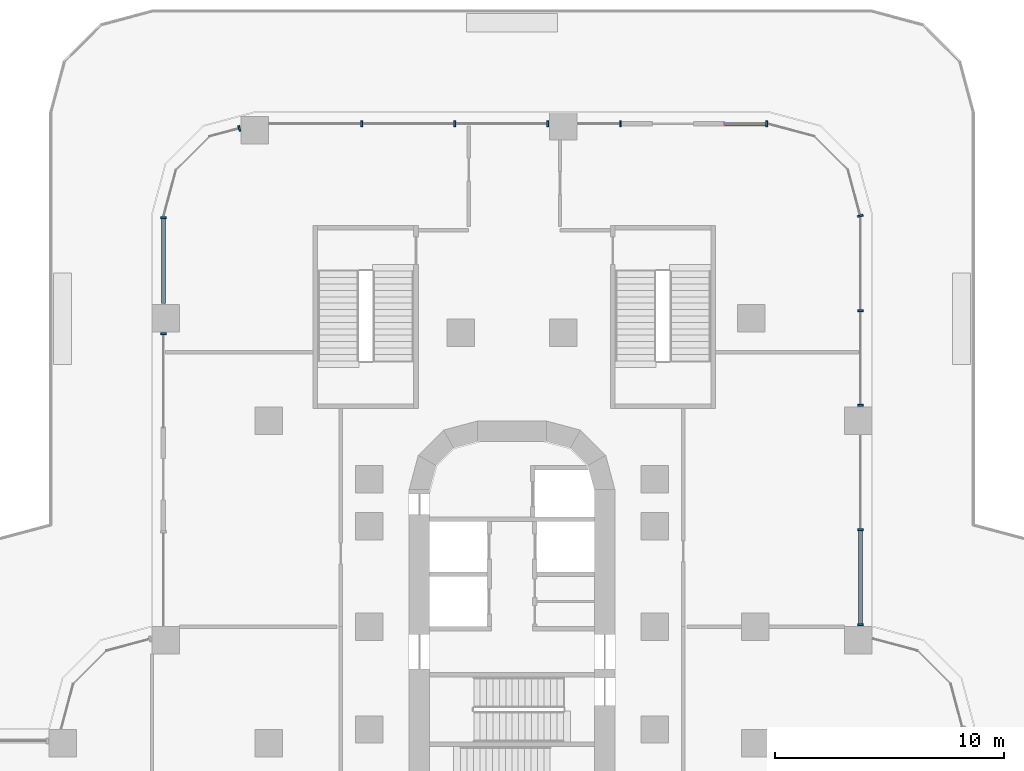
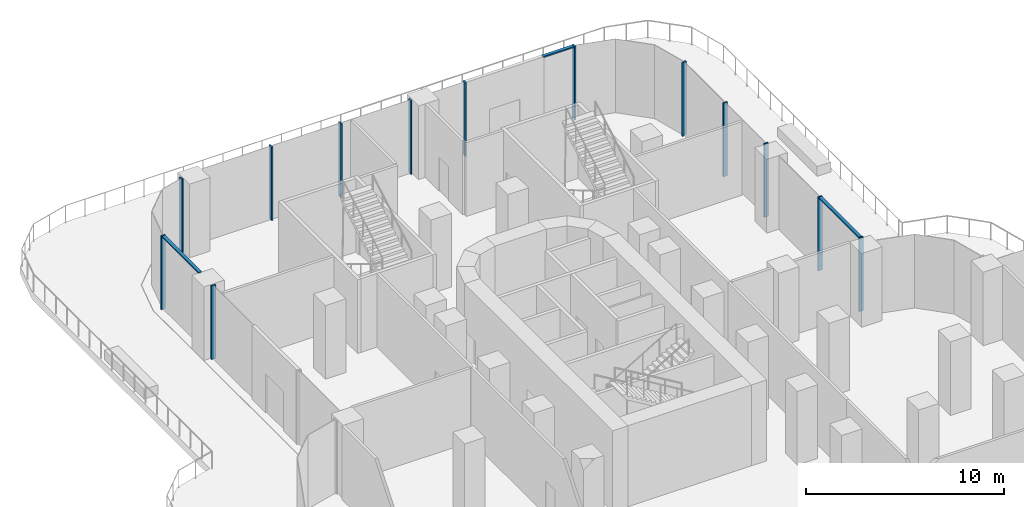
# One storey, part 8 of 27: 16 members, 5 elements without a shape of their own.
"""IFC4 building model written with IfcOpenShell, lengths in metres."""

import ifcopenshell
import ifcopenshell.guid

model = None  # the IFC model being written
_history = None  # IfcOwnerHistory: only IFC2X3 demands one
_inside = {}  # id of a spatial element -> (the spatial element, [elements in it])
_under = {}  # id of a project, library or spatial element -> (it, [spatial elements below it])
_declared = {}  # id of a project -> (the project, [libraries it declares])
_typed = {}  # id of a type object -> (the type object, [elements of that type])
_made_of = {}  # id of a material, layer set ... -> (it, [elements and type objects made of it])


def new_model(schema):
    """Start an empty IFC model of exactly this schema.

    Asked for "IFC4X3", IfcOpenShell would pick the latest addendum, in which some entities
    have other attributes; the version numbers below select the first issue.
    IFC2X3 requires an IfcOwnerHistory on every rooted entity: one is made here for all.
    """
    global model, _history
    if schema == "IFC4X3":
        model = ifcopenshell.file(schema_version=(4, 3, 0, 0))
    else:
        model = ifcopenshell.file(schema=schema)
    _inside.clear()
    _under.clear()
    _declared.clear()
    _typed.clear()
    _made_of.clear()
    _history = None
    if model.schema == "IFC2X3":
        org = make("IfcOrganization", Name="unknown")
        user = make(
            "IfcPersonAndOrganization",
            ThePerson=make("IfcPerson", FamilyName="unknown"),
            TheOrganization=org,
        )
        app = make(
            "IfcApplication",
            ApplicationDeveloper=org,
            Version="unknown",
            ApplicationFullName="unknown",
            ApplicationIdentifier="unknown",
        )
        _history = make(
            "IfcOwnerHistory",
            OwningUser=user,
            OwningApplication=app,
            ChangeAction="ADDED",
            CreationDate=0,
        )
    return model


def make(cls, **values):
    """One entity of the class cls with the attributes given. An attribute that is None is left unset."""
    return model.create_entity(
        cls, **{name: value for name, value in values.items() if value is not None}
    )


def rooted(cls, **values):
    """An entity with a GlobalId (a new one), such as an element, a storey or a relation."""
    return make(cls, GlobalId=ifcopenshell.guid.new(), OwnerHistory=_history, **values)


def si_unit(unit_type, name, prefix=None):
    """IfcSIUnit, for example si_unit("LENGTHUNIT", "METRE", prefix="MILLI")."""
    return make("IfcSIUnit", UnitType=unit_type, Prefix=prefix, Name=name)


def assignment(units):
    """IfcUnitAssignment: the units of a project."""
    return None if units is None else make("IfcUnitAssignment", Units=units)


def point(xyz):
    """IfcCartesianPoint."""
    return None if xyz is None else make("IfcCartesianPoint", Coordinates=xyz)


def direction(xyz):
    """IfcDirection."""
    return None if xyz is None else make("IfcDirection", DirectionRatios=xyz)


def frame(location, z_axis=None, x_axis=None):
    """IfcAxis2Placement3D, a coordinate frame: its origin and axes. An axis left out is left unset."""
    return make(
        "IfcAxis2Placement3D",
        Location=point(location),
        Axis=direction(z_axis),
        RefDirection=direction(x_axis),
    )


def origin():
    """The frame at (0, 0, 0) with its axes left unset."""
    return frame((0.0, 0.0, 0.0))


def place(relative_to, where):
    """IfcLocalPlacement: puts the frame where relative to a parent placement (None: the world)."""
    return make(
        "IfcLocalPlacement", PlacementRelTo=relative_to, RelativePlacement=where
    )


def context(
    kind, dimensions, precision=None, world=None, true_north=None, identifier=None
):
    """IfcGeometricRepresentationContext, for example the 3D "Model" context."""
    return make(
        "IfcGeometricRepresentationContext",
        ContextIdentifier=identifier,
        ContextType=kind,
        CoordinateSpaceDimension=dimensions,
        Precision=precision,
        WorldCoordinateSystem=world,
        TrueNorth=true_north,
    )


def subcontext(parent, identifier, kind, view, scale=None):
    """IfcGeometricRepresentationSubContext, for example "Body" below "Model"."""
    return make(
        "IfcGeometricRepresentationSubContext",
        ContextIdentifier=identifier,
        ContextType=kind,
        ParentContext=parent,
        TargetScale=scale,
        TargetView=view,
    )


def project(units=None, contexts=None):
    """IfcProject with its units and contexts."""
    return rooted(
        "IfcProject",
        Name="project",
        RepresentationContexts=contexts,
        UnitsInContext=assignment(units),
    )


def spatial(cls, under=None, at=None, **own):
    """A site, building, storey or space (cls), placed at a placement, below another one or the project."""
    s = rooted(cls, ObjectPlacement=at, **own)
    if under is not None:
        _under.setdefault(under.id(), (under, []))[1].append(s)
    return s


def polyline(points):
    """IfcPolyline through the points."""
    return make("IfcPolyline", Points=[point(p) for p in points])


def outline(outer, holes=None, kind="AREA"):
    """IfcArbitraryClosedProfileDef: a profile drawn as a closed curve; with holes, ...WithVoids."""
    if holes is None:
        return make("IfcArbitraryClosedProfileDef", ProfileType=kind, OuterCurve=outer)
    return make(
        "IfcArbitraryProfileDefWithVoids",
        ProfileType=kind,
        OuterCurve=outer,
        InnerCurves=holes,
    )


def extrude(swept, where, along, depth):
    """IfcExtrudedAreaSolid: the profile swept, set in the frame where, extruded along a direction by depth."""
    return make(
        "IfcExtrudedAreaSolid",
        SweptArea=swept,
        Position=where,
        ExtrudedDirection=direction(along),
        Depth=depth,
    )


def shape(context_of_items, identifier, shape_type, items):
    """IfcShapeRepresentation: the items that make up one representation, for example the "Body"."""
    return make(
        "IfcShapeRepresentation",
        ContextOfItems=context_of_items,
        RepresentationIdentifier=identifier,
        RepresentationType=shape_type,
        Items=items,
    )


def source(mapping_origin, context_of_items, identifier, shape_type, items):
    """IfcRepresentationMap: a shape defined once, which mapped items show again and again."""
    return make(
        "IfcRepresentationMap",
        MappingOrigin=mapping_origin,
        MappedRepresentation=shape(context_of_items, identifier, shape_type, items),
    )


def transform(
    local_origin,
    x_axis=None,
    y_axis=None,
    z_axis=None,
    scale=None,
    scale2=None,
    scale3=None,
    uniform=True,
):
    """IfcCartesianTransformationOperator3D, or its non-uniform kind. x_axis, y_axis, z_axis: its Axis1, 2, 3."""
    if uniform:
        return make(
            "IfcCartesianTransformationOperator3D",
            Axis1=direction(x_axis),
            Axis2=direction(y_axis),
            LocalOrigin=point(local_origin),
            Scale=scale,
            Axis3=direction(z_axis),
        )
    return make(
        "IfcCartesianTransformationOperator3DnonUniform",
        Axis1=direction(x_axis),
        Axis2=direction(y_axis),
        LocalOrigin=point(local_origin),
        Scale=scale,
        Axis3=direction(z_axis),
        Scale2=scale2,
        Scale3=scale3,
    )


def mapped(mapping_source, mapping_target):
    """IfcMappedItem: shows the shape of a source again, moved by a transform."""
    return make(
        "IfcMappedItem", MappingSource=mapping_source, MappingTarget=mapping_target
    )


def material(Name=None, Category=None):
    """IfcMaterial."""
    return make("IfcMaterial", Name=Name, Category=Category)


def made_of(thing, what):
    """Note that an element or type object is made of a material, layer set ...; save() writes the relation."""
    if what is not None:
        _made_of.setdefault(what.id(), (what, []))[1].append(thing)
    return thing


def type_object(cls, material=None, **own):
    """A type object (cls), such as IfcWallType, which elements share."""
    return made_of(rooted(cls, **own), material)


def element(
    cls,
    number,
    at=None,
    inside=None,
    cuts=None,
    type_object=None,
    material=None,
    context=None,
    identifier="Body",
    shape_type=None,
    held_by="IfcProductDefinitionShape",
    body=None,
    shapes=None,
    **own,
):
    """One element of the class cls, such as IfcWall. Its Tag is "e" and its number.

    at: its placement. inside: the storey or other place that contains it. cuts: it is an
    opening in that element (IfcRelVoidsElement). A single representation is given by context,
    identifier, shape_type and body (its items); several are given by shapes. held_by: the class
    of the entity that holds the representations. save() writes the other relations.
    """
    e = rooted(cls, Tag="e%d" % number, ObjectPlacement=at, **own)
    if body is not None:
        shapes = [shape(context, identifier, shape_type, body)]
    if shapes is not None:
        e.Representation = make(held_by, Representations=shapes)
    if inside is not None:
        _inside.setdefault(inside.id(), (inside, []))[1].append(e)
    if cuts is not None:
        rooted(
            "IfcRelVoidsElement", RelatingBuildingElement=cuts, RelatedOpeningElement=e
        )
    if type_object is not None:
        _typed.setdefault(type_object.id(), (type_object, []))[1].append(e)
    return made_of(e, material)


def aggregate(whole, parts):
    """IfcRelAggregates: a whole, such as a stair, and the parts it consists of."""
    return rooted("IfcRelAggregates", RelatingObject=whole, RelatedObjects=parts)


def save(model, path):
    """Write the relations noted so far, then the file.

    IfcRelAggregates (storeys below a building ...), IfcRelContainedInSpatialStructure (elements
    in a storey), IfcRelDefinesByType, IfcRelAssociatesMaterial and IfcRelDeclares: one each for
    every whole, place, type object, material and project.
    """
    for whole, parts in _under.values():
        aggregate(whole, parts)
    for where, things in _inside.values():
        rooted(
            "IfcRelContainedInSpatialStructure",
            RelatedElements=things,
            RelatingStructure=where,
        )
    for kind, things in _typed.values():
        rooted("IfcRelDefinesByType", RelatedObjects=things, RelatingType=kind)
    for what, things in _made_of.values():
        rooted("IfcRelAssociatesMaterial", RelatedObjects=things, RelatingMaterial=what)
    for by, libraries in _declared.values():
        rooted("IfcRelDeclares", RelatingContext=by, RelatedDefinitions=libraries)
    model.write(path)


model = new_model("IFC4")

# Units and contexts
model_context = context("Model", 3, precision=1e-05, world=origin(), true_north=direction((0.0, 1.0)))
body_context = subcontext(model_context, "Body", "Model", "MODEL_VIEW")
ifc_project = project(units=[si_unit("LENGTHUNIT", "METRE"), si_unit("AREAUNIT", "SQUARE_METRE"), si_unit("VOLUMEUNIT", "CUBIC_METRE"), si_unit("PLANEANGLEUNIT", "RADIAN"), si_unit("MASSUNIT", "GRAM", prefix="KILO")], contexts=[model_context])

# Site, building, storey
site_placement = place(None, origin())
site = spatial("IfcSite", under=ifc_project, at=site_placement, CompositionType="ELEMENT")
building_placement = place(site_placement, origin())
building = spatial("IfcBuilding", under=site, at=building_placement, Name="Zarbagh Exchange Tower", CompositionType="ELEMENT")
storey_placement = place(building_placement, frame((0.0, 0.0, 17.0)))
storey = spatial("IfcBuildingStorey", under=building, at=storey_placement, Name="L03", CompositionType="ELEMENT", Elevation=17.0)

# Curtain wall, member
ifc_material_1 = material(Name="Anodised aluminium frame and glazing", Category="aluminium")
curtain_wall_type = type_object("IfcCurtainWallType", Name="CWC Podium garden-wall glazing", PredefinedType="NOTDEFINED", material=ifc_material_1)
curtain_wall_1_placement = place(storey_placement, origin())
curtain_wall_1 = element("IfcCurtainWall", 1, at=curtain_wall_1_placement, inside=storey, type_object=curtain_wall_type, Name="CWC170 curtain wall", PredefinedType="NOTDEFINED")
ifc_material_2 = material(Name="Anodised aluminium frame", Category="aluminium")
member_type_1 = type_object("IfcMemberType", Name="TRC Transom, anodised aluminium frame", PredefinedType="USERDEFINED", material=ifc_material_2)
shared_shape_1 = source(origin(), body_context, "Body", "SweptSolid", [
    extrude(outline(polyline([(-0.080078125, -0.090087890625), (0.0, -0.090087890625), (0.0, 0.090087890625), (-0.080078125, 0.090087890625), (-0.080078125, -0.090087890625)])), origin(), (0.0, 0.0, 1.0), 3.714111328125),
])
placement = place(storey_placement, origin())
member_1 = element("IfcMember", 2, at=placement, type_object=member_type_1, Name="CWC170 transom 1.1", ObjectType="TRANSOM", PredefinedType="USERDEFINED", context=body_context, shape_type="MappedRepresentation", body=[
    mapped(shared_shape_1, transform((-15.25, 38.104248046875, 4.550048828125), x_axis=(0.0, 0.0, 1.0), y_axis=(-1.0, 0.0, 0.0), z_axis=(0.0, -1.0, 0.0))),
])

# Curtain wall, members
curtain_wall_2_placement = place(storey_placement, origin())
curtain_wall_2 = element("IfcCurtainWall", 3, at=curtain_wall_2_placement, inside=storey, type_object=curtain_wall_type, Name="CWC162 curtain wall", PredefinedType="NOTDEFINED")
member_type_2 = type_object("IfcMemberType", Name="MUC Mullion, anodised aluminium frame", PredefinedType="MULLION", material=ifc_material_2)
shared_shape_2 = source(origin(), body_context, "Body", "SweptSolid", [
    extrude(outline(polyline([(0.0, -0.125), (0.080078125, -0.125), (0.080078125, 0.125), (0.0, 0.125), (0.0, -0.125)])), origin(), (0.0, 0.0, 1.0), 4.550048828125),
])
member_2 = element("IfcMember", 4, at=placement, type_object=member_type_2, Name="CWC162 mullion 1.1", PredefinedType="MULLION", context=body_context, shape_type="MappedRepresentation", body=[
    mapped(shared_shape_2, transform((15.25, 20.2900390625, 0.0), x_axis=(0.0, 1.0, 0.0), y_axis=(-1.0, 0.0, 0.0), z_axis=(0.0, 0.0, 1.0))),
])
member_3 = element("IfcMember", 5, at=placement, type_object=member_type_2, Name="CWC162 mullion 1.2", PredefinedType="MULLION", context=body_context, shape_type="MappedRepresentation", body=[
    mapped(shared_shape_2, transform((15.25, 24.449951171875, 0.0), x_axis=(0.0, 1.0, 0.0), y_axis=(-1.0, 0.0, 0.0), z_axis=(0.0, 0.0, 1.0))),
])
member_4 = element("IfcMember", 6, at=placement, type_object=member_type_2, Name="CWC162 mullion 2.1", PredefinedType="MULLION", context=body_context, shape_type="MappedRepresentation", body=[
    mapped(shared_shape_2, transform((15.25, 29.89013671875, 0.0), x_axis=(0.0, 1.0, 0.0), y_axis=(-1.0, 0.0, 0.0), z_axis=(0.0, 0.0, 1.0))),
])
member_5 = element("IfcMember", 7, at=placement, type_object=member_type_2, Name="CWC162 mullion 2.2", PredefinedType="MULLION", context=body_context, shape_type="MappedRepresentation", body=[
    mapped(shared_shape_2, transform((15.25, 34.037109375, 0.0), x_axis=(0.0, 1.0, 0.0), y_axis=(-1.0, 0.0, 0.0), z_axis=(0.0, 0.0, 1.0))),
])

# Curtain wall, member
curtain_wall_3_placement = place(storey_placement, origin())
curtain_wall_3 = element("IfcCurtainWall", 8, at=curtain_wall_3_placement, inside=storey, type_object=curtain_wall_type, Name="CWC163 curtain wall", PredefinedType="NOTDEFINED")
member_6 = element("IfcMember", 9, at=placement, type_object=member_type_2, Name="CWC163 mullion 1.1", PredefinedType="MULLION", context=body_context, shape_type="MappedRepresentation", body=[
    mapped(shared_shape_2, transform((15.25, 38.18408203125, 0.0), x_axis=(-0.258824779902, 0.965924289636, 0.0), y_axis=(-0.965924289636, -0.258824779902, 0.0), z_axis=(0.0, 0.0, 1.0))),
])
aggregate(curtain_wall_3, [member_6])

# Curtain wall, members
curtain_wall_4_placement = place(storey_placement, origin())
curtain_wall_4 = element("IfcCurtainWall", 10, at=curtain_wall_4_placement, inside=storey, type_object=curtain_wall_type, Name="CWC166 curtain wall", PredefinedType="NOTDEFINED")
member_7 = element("IfcMember", 11, at=placement, type_object=member_type_2, Name="CWC166 mullion 1.1", PredefinedType="MULLION", context=body_context, shape_type="MappedRepresentation", body=[
    mapped(shared_shape_2, transform((11.18408203125, 42.25, 0.0), x_axis=(-1.0, 0.0, 0.0), y_axis=(0.0, -1.0, 0.0), z_axis=(0.0, 0.0, 1.0))),
])
member_8 = element("IfcMember", 12, at=placement, type_object=member_type_2, Name="CWC166 mullion 2.1", PredefinedType="MULLION", context=body_context, shape_type="MappedRepresentation", body=[
    mapped(shared_shape_2, transform((4.787109375, 42.25, 0.0), x_axis=(-1.0, 0.0, 0.0), y_axis=(0.0, -1.0, 0.0), z_axis=(0.0, 0.0, 1.0))),
])
member_9 = element("IfcMember", 13, at=placement, type_object=member_type_2, Name="CWC166 mullion 3.1", PredefinedType="MULLION", context=body_context, shape_type="MappedRepresentation", body=[
    mapped(shared_shape_2, transform((1.60986328125, 42.25, 0.0), x_axis=(-1.0, 0.0, 0.0), y_axis=(0.0, -1.0, 0.0), z_axis=(0.0, 0.0, 1.0))),
])
member_10 = element("IfcMember", 14, at=placement, type_object=member_type_2, Name="CWC166 mullion 3.2", PredefinedType="MULLION", context=body_context, shape_type="MappedRepresentation", body=[
    mapped(shared_shape_2, transform((-2.46337890625, 42.25, 0.0), x_axis=(-1.0, 0.0, 0.0), y_axis=(0.0, -1.0, 0.0), z_axis=(0.0, 0.0, 1.0))),
])
member_11 = element("IfcMember", 15, at=placement, type_object=member_type_2, Name="CWC166 mullion 3.3", PredefinedType="MULLION", context=body_context, shape_type="MappedRepresentation", body=[
    mapped(shared_shape_2, transform((-6.53662109375, 42.25, 0.0), x_axis=(-1.0, 0.0, 0.0), y_axis=(0.0, -1.0, 0.0), z_axis=(0.0, 0.0, 1.0))),
])

# Curtain wall, member
curtain_wall_5_placement = place(storey_placement, origin())
curtain_wall_5 = element("IfcCurtainWall", 16, at=curtain_wall_5_placement, inside=storey, type_object=curtain_wall_type, Name="CWC167 curtain wall", PredefinedType="NOTDEFINED")
member_12 = element("IfcMember", 17, at=placement, type_object=member_type_2, Name="CWC167 mullion 1.1", PredefinedType="MULLION", context=body_context, shape_type="MappedRepresentation", body=[
    mapped(shared_shape_2, transform((-11.889892578125, 42.060791015625, 0.0), x_axis=(-0.965924289636, -0.258824779902, 0.0), y_axis=(0.258824779902, -0.965924289636, 0.0), z_axis=(0.0, 0.0, 1.0))),
])
aggregate(curtain_wall_5, [member_12])

# Member
member_13 = element("IfcMember", 18, at=placement, type_object=member_type_2, Name="CWC170 mullion 1.1", PredefinedType="MULLION", context=body_context, shape_type="MappedRepresentation", body=[
    mapped(shared_shape_2, transform((-15.25, 38.18408203125, 0.0), x_axis=(0.0, -1.0, 0.0), y_axis=(1.0, 0.0, 0.0), z_axis=(0.0, 0.0, 1.0))),
])

member_14 = element("IfcMember", 19, at=placement, type_object=member_type_2, Name="CWC170 mullion 2.1", PredefinedType="MULLION", context=body_context, shape_type="MappedRepresentation", body=[
    mapped(shared_shape_2, transform((-15.25, 33.10986328125, 0.0), x_axis=(0.0, -1.0, 0.0), y_axis=(1.0, 0.0, 0.0), z_axis=(0.0, 0.0, 1.0))),
])

aggregate(curtain_wall_1, [member_13, member_1, member_14])

shared_shape_3 = source(origin(), body_context, "Body", "SweptSolid", [
    extrude(outline(polyline([(-0.080078125, -0.090087890625), (0.0, -0.090087890625), (0.0, 0.090087890625), (-0.080078125, 0.090087890625), (-0.080078125, -0.090087890625)])), origin(), (0.0, 0.0, 1.0), 4.080078125),
])
member_15 = element("IfcMember", 20, at=placement, type_object=member_type_1, Name="CWC162 transom 1.1", ObjectType="TRANSOM", PredefinedType="USERDEFINED", context=body_context, shape_type="MappedRepresentation", body=[
    mapped(shared_shape_3, transform((15.25, 20.3701171875, 4.550048828125), x_axis=(0.0, 0.0, 1.0), y_axis=(1.0, 0.0, 0.0), z_axis=(0.0, 1.0, 0.0))),
])

aggregate(curtain_wall_2, [member_2, member_15, member_3, member_4, member_5])

shared_shape_4 = source(origin(), body_context, "Body", "SweptSolid", [
    extrude(outline(polyline([(-0.080078125, -0.090087890625), (0.0, -0.090087890625), (0.0, 0.090087890625), (-0.080078125, 0.090087890625), (-0.080078125, -0.090087890625)])), origin(), (0.0, 0.0, 1.0), 1.817138671875),
])
member_16 = element("IfcMember", 21, at=placement, type_object=member_type_1, Name="CWC166 transom 1.1", ObjectType="TRANSOM", PredefinedType="USERDEFINED", context=body_context, shape_type="MappedRepresentation", body=[
    mapped(shared_shape_4, transform((11.104248046875, 42.25, 4.550048828125), x_axis=(0.0, 0.0, 1.0), y_axis=(0.0, 1.0, 0.0), z_axis=(-1.0, 0.0, 0.0))),
])

aggregate(curtain_wall_4, [member_7, member_16, member_8, member_9, member_10, member_11])

save(model, "model.ifc")
